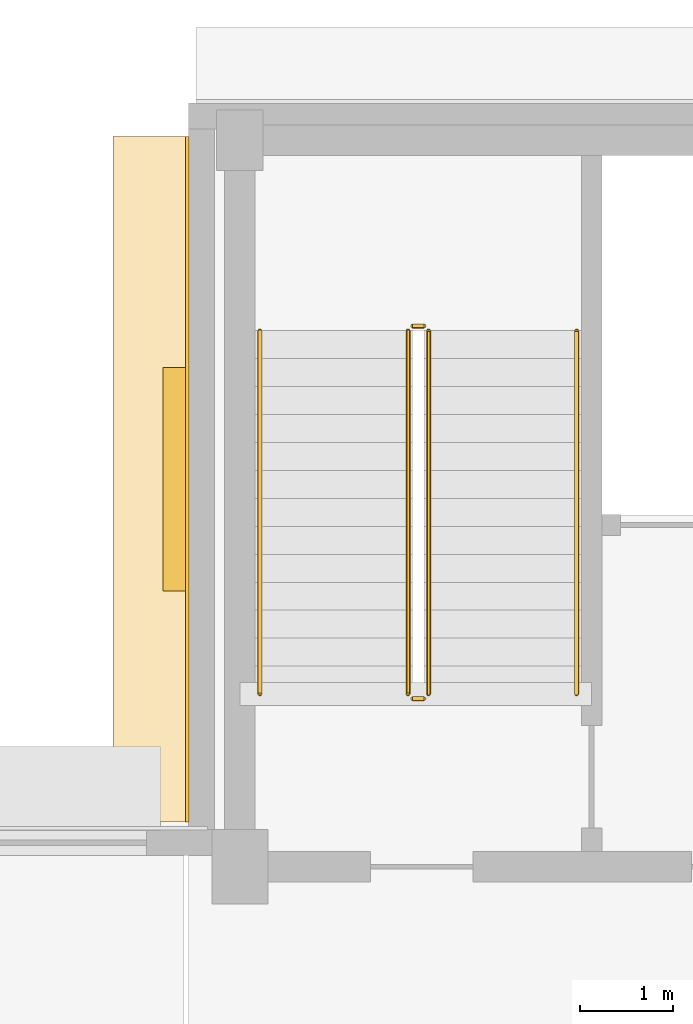
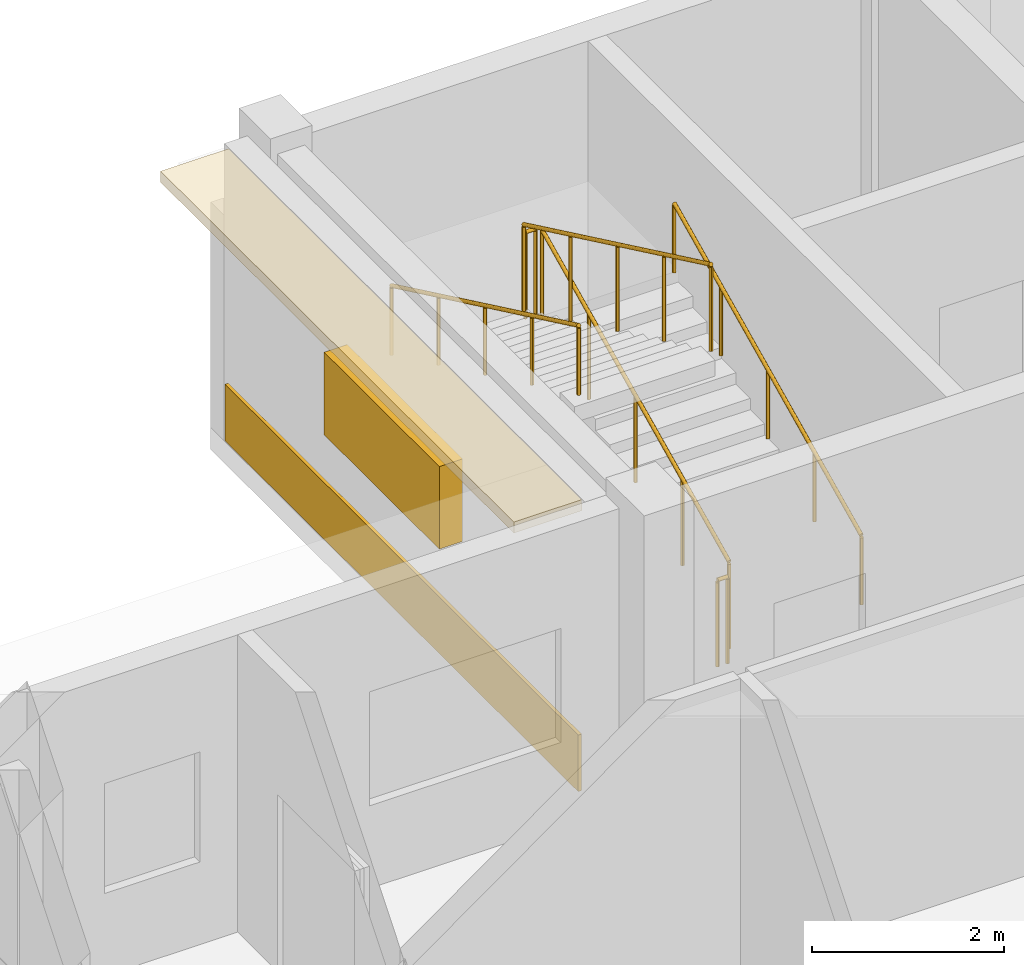
# One storey, part 89 of 92: 6 railings, 2 coverings, 1 shading device.
"""IFC4 building model written with IfcOpenShell, lengths in metres."""

import ifcopenshell
import ifcopenshell.guid

model = None  # the IFC model being written
_history = None  # IfcOwnerHistory: only IFC2X3 demands one
_inside = {}  # id of a spatial element -> (the spatial element, [elements in it])
_under = {}  # id of a project, library or spatial element -> (it, [spatial elements below it])
_declared = {}  # id of a project -> (the project, [libraries it declares])
_typed = {}  # id of a type object -> (the type object, [elements of that type])
_made_of = {}  # id of a material, layer set ... -> (it, [elements and type objects made of it])


def new_model(schema):
    """Start an empty IFC model of exactly this schema.

    Asked for "IFC4X3", IfcOpenShell would pick the latest addendum, in which some entities
    have other attributes; the version numbers below select the first issue.
    IFC2X3 requires an IfcOwnerHistory on every rooted entity: one is made here for all.
    """
    global model, _history
    if schema == "IFC4X3":
        model = ifcopenshell.file(schema_version=(4, 3, 0, 0))
    else:
        model = ifcopenshell.file(schema=schema)
    _inside.clear()
    _under.clear()
    _declared.clear()
    _typed.clear()
    _made_of.clear()
    _history = None
    if model.schema == "IFC2X3":
        org = make("IfcOrganization", Name="unknown")
        user = make(
            "IfcPersonAndOrganization",
            ThePerson=make("IfcPerson", FamilyName="unknown"),
            TheOrganization=org,
        )
        app = make(
            "IfcApplication",
            ApplicationDeveloper=org,
            Version="unknown",
            ApplicationFullName="unknown",
            ApplicationIdentifier="unknown",
        )
        _history = make(
            "IfcOwnerHistory",
            OwningUser=user,
            OwningApplication=app,
            ChangeAction="ADDED",
            CreationDate=0,
        )
    return model


def make(cls, **values):
    """One entity of the class cls with the attributes given. An attribute that is None is left unset."""
    return model.create_entity(
        cls, **{name: value for name, value in values.items() if value is not None}
    )


def rooted(cls, **values):
    """An entity with a GlobalId (a new one), such as an element, a storey or a relation."""
    return make(cls, GlobalId=ifcopenshell.guid.new(), OwnerHistory=_history, **values)


def si_unit(unit_type, name, prefix=None):
    """IfcSIUnit, for example si_unit("LENGTHUNIT", "METRE", prefix="MILLI")."""
    return make("IfcSIUnit", UnitType=unit_type, Prefix=prefix, Name=name)


def assignment(units):
    """IfcUnitAssignment: the units of a project."""
    return None if units is None else make("IfcUnitAssignment", Units=units)


def point(xyz):
    """IfcCartesianPoint."""
    return None if xyz is None else make("IfcCartesianPoint", Coordinates=xyz)


def direction(xyz):
    """IfcDirection."""
    return None if xyz is None else make("IfcDirection", DirectionRatios=xyz)


def frame(location, z_axis=None, x_axis=None):
    """IfcAxis2Placement3D, a coordinate frame: its origin and axes. An axis left out is left unset."""
    return make(
        "IfcAxis2Placement3D",
        Location=point(location),
        Axis=direction(z_axis),
        RefDirection=direction(x_axis),
    )


def frame_2d(location, x_axis=None):
    """IfcAxis2Placement2D, a coordinate frame in the plane: its origin and x axis."""
    return make(
        "IfcAxis2Placement2D", Location=point(location), RefDirection=direction(x_axis)
    )


def origin():
    """The frame at (0, 0, 0) with its axes left unset."""
    return frame((0.0, 0.0, 0.0))


def origin_2d():
    """The frame at (0, 0) in the plane with its x axis left unset."""
    return frame_2d((0.0, 0.0))


def place(relative_to, where):
    """IfcLocalPlacement: puts the frame where relative to a parent placement (None: the world)."""
    return make(
        "IfcLocalPlacement", PlacementRelTo=relative_to, RelativePlacement=where
    )


def context(
    kind, dimensions, precision=None, world=None, true_north=None, identifier=None
):
    """IfcGeometricRepresentationContext, for example the 3D "Model" context."""
    return make(
        "IfcGeometricRepresentationContext",
        ContextIdentifier=identifier,
        ContextType=kind,
        CoordinateSpaceDimension=dimensions,
        Precision=precision,
        WorldCoordinateSystem=world,
        TrueNorth=true_north,
    )


def subcontext(parent, identifier, kind, view, scale=None):
    """IfcGeometricRepresentationSubContext, for example "Body" below "Model"."""
    return make(
        "IfcGeometricRepresentationSubContext",
        ContextIdentifier=identifier,
        ContextType=kind,
        ParentContext=parent,
        TargetScale=scale,
        TargetView=view,
    )


def project(units=None, contexts=None):
    """IfcProject with its units and contexts."""
    return rooted(
        "IfcProject",
        Name="project",
        RepresentationContexts=contexts,
        UnitsInContext=assignment(units),
    )


def spatial(cls, under=None, at=None, **own):
    """A site, building, storey or space (cls), placed at a placement, below another one or the project."""
    s = rooted(cls, ObjectPlacement=at, **own)
    if under is not None:
        _under.setdefault(under.id(), (under, []))[1].append(s)
    return s


def profile(cls, at=None, kind="AREA", **sizes):
    """A parametric profile (cls). Its sizes go by their IFC names, for example OverallWidth=200.0."""
    return make(cls, ProfileType=kind, Position=at, **sizes)


def rectangle(**sizes):
    """IfcRectangleProfileDef."""
    return profile("IfcRectangleProfileDef", **sizes)


def circle(**sizes):
    """IfcCircleProfileDef."""
    return profile("IfcCircleProfileDef", **sizes)


def extrude(swept, where, along, depth):
    """IfcExtrudedAreaSolid: the profile swept, set in the frame where, extruded along a direction by depth."""
    return make(
        "IfcExtrudedAreaSolid",
        SweptArea=swept,
        Position=where,
        ExtrudedDirection=direction(along),
        Depth=depth,
    )


def shape(context_of_items, identifier, shape_type, items):
    """IfcShapeRepresentation: the items that make up one representation, for example the "Body"."""
    return make(
        "IfcShapeRepresentation",
        ContextOfItems=context_of_items,
        RepresentationIdentifier=identifier,
        RepresentationType=shape_type,
        Items=items,
    )


def material(Name=None, Category=None):
    """IfcMaterial."""
    return make("IfcMaterial", Name=Name, Category=Category)


def layer(
    of_material, thickness, ventilated=None, Name=None, Category=None, Priority=None
):
    """IfcMaterialLayer: one layer of a wall or slab, of a material (None: an air gap)."""
    return make(
        "IfcMaterialLayer",
        Material=of_material,
        LayerThickness=thickness,
        IsVentilated=ventilated,
        Name=Name,
        Category=Category,
        Priority=Priority,
    )


def layer_set(layers, Name=None):
    """IfcMaterialLayerSet."""
    return make("IfcMaterialLayerSet", MaterialLayers=layers, LayerSetName=Name)


def made_of(thing, what):
    """Note that an element or type object is made of a material, layer set ...; save() writes the relation."""
    if what is not None:
        _made_of.setdefault(what.id(), (what, []))[1].append(thing)
    return thing


def type_object(cls, material=None, **own):
    """A type object (cls), such as IfcWallType, which elements share."""
    return made_of(rooted(cls, **own), material)


def element(
    cls,
    number,
    at=None,
    inside=None,
    cuts=None,
    type_object=None,
    material=None,
    context=None,
    identifier="Body",
    shape_type=None,
    held_by="IfcProductDefinitionShape",
    body=None,
    shapes=None,
    **own,
):
    """One element of the class cls, such as IfcWall. Its Tag is "e" and its number.

    at: its placement. inside: the storey or other place that contains it. cuts: it is an
    opening in that element (IfcRelVoidsElement). A single representation is given by context,
    identifier, shape_type and body (its items); several are given by shapes. held_by: the class
    of the entity that holds the representations. save() writes the other relations.
    """
    e = rooted(cls, Tag="e%d" % number, ObjectPlacement=at, **own)
    if body is not None:
        shapes = [shape(context, identifier, shape_type, body)]
    if shapes is not None:
        e.Representation = make(held_by, Representations=shapes)
    if inside is not None:
        _inside.setdefault(inside.id(), (inside, []))[1].append(e)
    if cuts is not None:
        rooted(
            "IfcRelVoidsElement", RelatingBuildingElement=cuts, RelatedOpeningElement=e
        )
    if type_object is not None:
        _typed.setdefault(type_object.id(), (type_object, []))[1].append(e)
    return made_of(e, material)


def aggregate(whole, parts):
    """IfcRelAggregates: a whole, such as a stair, and the parts it consists of."""
    return rooted("IfcRelAggregates", RelatingObject=whole, RelatedObjects=parts)


def save(model, path):
    """Write the relations noted so far, then the file.

    IfcRelAggregates (storeys below a building ...), IfcRelContainedInSpatialStructure (elements
    in a storey), IfcRelDefinesByType, IfcRelAssociatesMaterial and IfcRelDeclares: one each for
    every whole, place, type object, material and project.
    """
    for whole, parts in _under.values():
        aggregate(whole, parts)
    for where, things in _inside.values():
        rooted(
            "IfcRelContainedInSpatialStructure",
            RelatedElements=things,
            RelatingStructure=where,
        )
    for kind, things in _typed.values():
        rooted("IfcRelDefinesByType", RelatedObjects=things, RelatingType=kind)
    for what, things in _made_of.values():
        rooted("IfcRelAssociatesMaterial", RelatedObjects=things, RelatingMaterial=what)
    for by, libraries in _declared.values():
        rooted("IfcRelDeclares", RelatingContext=by, RelatedDefinitions=libraries)
    model.write(path)


model = new_model("IFC4")

# Units and contexts
model_context = context("Model", 3, precision=1e-05, world=origin(), true_north=direction((0.0, 1.0)))
body_context = subcontext(model_context, "Body", "Model", "MODEL_VIEW")
ifc_project = project(units=[si_unit("LENGTHUNIT", "METRE"), si_unit("AREAUNIT", "SQUARE_METRE"), si_unit("VOLUMEUNIT", "CUBIC_METRE"), si_unit("PLANEANGLEUNIT", "RADIAN"), si_unit("MASSUNIT", "GRAM", prefix="KILO")], contexts=[model_context])

# Site, building, storey
site_placement = place(None, origin())
site = spatial("IfcSite", under=ifc_project, at=site_placement, CompositionType="ELEMENT")
building_placement = place(site_placement, origin())
building = spatial("IfcBuilding", under=site, at=building_placement, Name="Kelanivale Promenade Academy", CompositionType="ELEMENT")
storey_placement = place(building_placement, frame((0.0, 0.0, 8.199951171875)))
storey = spatial("IfcBuildingStorey", under=building, at=storey_placement, Name="L02", CompositionType="ELEMENT", Elevation=8.199951171875)

# Coverings
ifc_material_1 = material(Name="Warm ivory Art Deco stucco frieze band 40 mm", Category="masonry")
ifc_layer_1 = layer(ifc_material_1, 0.0400390625)
ifc_layer_set_1 = layer_set([ifc_layer_1], Name="Warm ivory Art Deco stucco frieze band 40 mm")
covering_type = type_object("IfcCoveringType", Name="COV-CLD2 Warm ivory Art Deco stucco frieze ba", PredefinedType="CLADDING", material=ifc_layer_set_1)
covering_1_placement = place(storey_placement, frame((122.449951171875, 107.9599609375, 3.6201171875), z_axis=(0.0, 0.0, 1.0), x_axis=(0.0, -1.0, 0.0)))
element("IfcCovering", 1, at=covering_1_placement, inside=storey, type_object=covering_type, Name="Art Deco projecting 820 mm streamline sunshade eyebrow ledge", PredefinedType="CLADDING", context=body_context, shape_type="SweptSolid", body=[
    extrude(rectangle(XDim=7.360107421875, YDim=0.820068359375, at=origin_2d()), origin(), (0.0, 0.0, 1.0), 0.139892578125),
])
covering_2_placement = place(storey_placement, frame((122.8349609375, 107.9599609375, 0.06005859375), z_axis=(0.0, 0.0, 1.0), x_axis=(0.0, -1.0, 0.0)))
element("IfcCovering", 2, at=covering_2_placement, inside=storey, type_object=covering_type, Name="Art Deco ivory stucco sill frieze band", PredefinedType="CLADDING", context=body_context, shape_type="SweptSolid", body=[
    extrude(rectangle(XDim=7.360107421875, YDim=0.0400390625, at=origin_2d()), origin(), (0.0, 0.0, 1.0), 0.719970703125),
])

# Railings
ifc_material_2 = material(Name="Brushed stainless steel grade 316", Category="steel")
railing_type_1 = type_object("IfcRailingType", Name="GR-01 Stair Guard 1100mm", PredefinedType="BALUSTRADE", material=ifc_material_2)
railing_1_placement = place(storey_placement, frame((125.425048828125, 105.655029296875, 0.142822265625)))
element("IfcRailing", 3, at=railing_1_placement, inside=storey, type_object=railing_type_1, Name="L02 ST-05 stair guard 1", PredefinedType="BALUSTRADE", context=body_context, shape_type="SweptSolid", body=[
    extrude(circle(Radius=0.02392578125, at=origin_2d()), frame((0.0, 0.0, 1.09619140625), z_axis=(0.0, 0.902853205547, 0.429948937937), x_axis=(-1.0, 0.0, 0.0)), (0.0, 0.0, 1.0), 4.319580078125),
    extrude(circle(Radius=0.02099609375, at=origin_2d()), origin(), (0.0, 0.0, 1.0), 1.072021484375),
    extrude(circle(Radius=0.02099609375, at=origin_2d()), frame((0.0, 0.97509765625, 0.46435546875)), (0.0, 0.0, 1.0), 1.072021484375),
    extrude(circle(Radius=0.02099609375, at=origin_2d()), frame((0.0, 1.949951171875, 0.9287109375)), (0.0, 0.0, 1.0), 1.072021484375),
    extrude(circle(Radius=0.02099609375, at=origin_2d()), frame((0.0, 2.9248046875, 1.392822265625)), (0.0, 0.0, 1.0), 1.072021484375),
    extrude(circle(Radius=0.02099609375, at=origin_2d()), frame((0.0, 3.89990234375, 1.857177734375)), (0.0, 0.0, 1.0), 1.072021484375),
])
railing_2_placement = place(storey_placement, frame((125.375, 109.60498046875, 2.0)))
element("IfcRailing", 4, at=railing_2_placement, inside=storey, type_object=railing_type_1, Name="L02 ST-05 stair guard 2", PredefinedType="BALUSTRADE", context=body_context, shape_type="SweptSolid", body=[
    extrude(circle(Radius=0.02392578125, at=origin_2d()), frame((0.0, 0.0, 1.09619140625), z_axis=(-1.0, 0.0, 0.0), x_axis=(0.0, -1.0, 0.0)), (0.0, 0.0, 1.0), 0.1201171875),
    extrude(circle(Radius=0.02099609375, at=origin_2d()), origin(), (0.0, 0.0, 1.0), 1.072021484375),
    extrude(circle(Radius=0.02099609375, at=origin_2d()), frame((-0.1201171875, 0.0, 0.0)), (0.0, 0.0, 1.0), 1.072021484375),
])
railing_3_placement = place(storey_placement, frame((125.205078125, 109.554931640625, 2.142822265625)))
element("IfcRailing", 5, at=railing_3_placement, inside=storey, type_object=railing_type_1, Name="L02 ST-05 stair guard 3", PredefinedType="BALUSTRADE", context=body_context, shape_type="SweptSolid", body=[
    extrude(circle(Radius=0.02392578125, at=origin_2d()), frame((0.0, 0.0, 1.09619140625), z_axis=(0.0, -0.902853205547, 0.429948937937), x_axis=(1.0, 0.0, 0.0)), (0.0, 0.0, 1.0), 4.319580078125),
    extrude(circle(Radius=0.02099609375, at=origin_2d()), origin(), (0.0, 0.0, 1.0), 1.072021484375),
    extrude(circle(Radius=0.02099609375, at=origin_2d()), frame((0.0, -0.97509765625, 0.46435546875)), (0.0, 0.0, 1.0), 1.072021484375),
    extrude(circle(Radius=0.02099609375, at=origin_2d()), frame((0.0, -1.949951171875, 0.9287109375)), (0.0, 0.0, 1.0), 1.072021484375),
    extrude(circle(Radius=0.02099609375, at=origin_2d()), frame((0.0, -2.9248046875, 1.392822265625)), (0.0, 0.0, 1.0), 1.072021484375),
    extrude(circle(Radius=0.02099609375, at=origin_2d()), frame((0.0, -3.89990234375, 1.857177734375)), (0.0, 0.0, 1.0), 1.072021484375),
])
railing_4_placement = place(storey_placement, frame((125.375, 105.60498046875, 0.0)))
element("IfcRailing", 6, at=railing_4_placement, inside=storey, type_object=railing_type_1, Name="L02 ST-05 stair guard 4", PredefinedType="BALUSTRADE", context=body_context, shape_type="SweptSolid", body=[
    extrude(circle(Radius=0.02392578125, at=origin_2d()), frame((0.0, 0.0, 1.09619140625), z_axis=(-1.0, 0.0, 0.0), x_axis=(0.0, -1.0, 0.0)), (0.0, 0.0, 1.0), 0.1201171875),
    extrude(circle(Radius=0.02099609375, at=origin_2d()), origin(), (0.0, 0.0, 1.0), 1.072021484375),
    extrude(circle(Radius=0.02099609375, at=origin_2d()), frame((-0.1201171875, 0.0, 0.0)), (0.0, 0.0, 1.0), 1.072021484375),
])
railing_type_2 = type_object("IfcRailingType", Name="HR-01 Pitch Handrail 900mm", PredefinedType="HANDRAIL", material=ifc_material_2)
railing_5_placement = place(storey_placement, frame((127.014892578125, 105.655029296875, 0.142822265625)))
element("IfcRailing", 7, at=railing_5_placement, inside=storey, type_object=railing_type_2, Name="L02 ST-05 stair handrail 1", PredefinedType="HANDRAIL", context=body_context, shape_type="SweptSolid", body=[
    extrude(circle(Radius=0.02392578125, at=origin_2d()), frame((0.0, 0.0, 0.8759765625), z_axis=(0.0, 0.902853205547, 0.429948937937), x_axis=(-1.0, 0.0, 0.0)), (0.0, 0.0, 1.0), 4.319580078125),
    extrude(circle(Radius=0.02099609375, at=origin_2d()), origin(), (0.0, 0.0, 1.0), 0.851806640625),
    extrude(circle(Radius=0.02099609375, at=origin_2d()), frame((0.0, 0.97509765625, 0.46435546875)), (0.0, 0.0, 1.0), 0.851806640625),
    extrude(circle(Radius=0.02099609375, at=origin_2d()), frame((0.0, 1.949951171875, 0.9287109375)), (0.0, 0.0, 1.0), 0.851806640625),
    extrude(circle(Radius=0.02099609375, at=origin_2d()), frame((0.0, 2.9248046875, 1.392822265625)), (0.0, 0.0, 1.0), 0.851806640625),
    extrude(circle(Radius=0.02099609375, at=origin_2d()), frame((0.0, 3.89990234375, 1.857177734375)), (0.0, 0.0, 1.0), 0.851806640625),
])
railing_6_placement = place(storey_placement, frame((123.614990234375, 109.554931640625, 2.142822265625)))
element("IfcRailing", 8, at=railing_6_placement, inside=storey, type_object=railing_type_2, Name="L02 ST-05 stair handrail 2", PredefinedType="HANDRAIL", context=body_context, shape_type="SweptSolid", body=[
    extrude(circle(Radius=0.02392578125, at=origin_2d()), frame((0.0, 0.0, 0.8759765625), z_axis=(0.0, -0.902853205547, 0.429948937937), x_axis=(1.0, 0.0, 0.0)), (0.0, 0.0, 1.0), 4.319580078125),
    extrude(circle(Radius=0.02099609375, at=origin_2d()), origin(), (0.0, 0.0, 1.0), 0.851806640625),
    extrude(circle(Radius=0.02099609375, at=origin_2d()), frame((0.0, -0.97509765625, 0.46435546875)), (0.0, 0.0, 1.0), 0.851806640625),
    extrude(circle(Radius=0.02099609375, at=origin_2d()), frame((0.0, -1.949951171875, 0.9287109375)), (0.0, 0.0, 1.0), 0.851806640625),
    extrude(circle(Radius=0.02099609375, at=origin_2d()), frame((0.0, -2.9248046875, 1.392822265625)), (0.0, 0.0, 1.0), 0.851806640625),
    extrude(circle(Radius=0.02099609375, at=origin_2d()), frame((0.0, -3.89990234375, 1.857177734375)), (0.0, 0.0, 1.0), 0.851806640625),
])

# Shading device
ifc_material_3 = material(Name="Bronze anodised aluminium EN AW-6063 T6", Category="aluminium")
ifc_layer_2 = layer(ifc_material_3, 0.080078125)
ifc_layer_set_2 = layer_set([ifc_layer_2], Name="Bronze anodised aluminium EN AW-6063 T6")
shading_device_type = type_object("IfcShadingDeviceType", Name="SHD-02 Perforated Brise-Soleil Screen", PredefinedType="JALOUSIE", material=ifc_layer_set_2)
shading_device_placement = place(storey_placement, frame((122.715087890625, 107.9599609375, 1.72509765625), z_axis=(0.0, 0.0, 1.0), x_axis=(0.0, -1.0, 0.0)))
element("IfcShadingDevice", 9, at=shading_device_placement, inside=storey, type_object=shading_device_type, Name="Perforated Art Deco brise-soleil louvre screen", PredefinedType="JALOUSIE", context=body_context, shape_type="SweptSolid", body=[
    extrude(rectangle(XDim=2.39990234375, YDim=0.280029296875, at=origin_2d()), origin(), (0.0, 0.0, 1.0), 1.050048828125),
])

save(model, "model.ifc")
